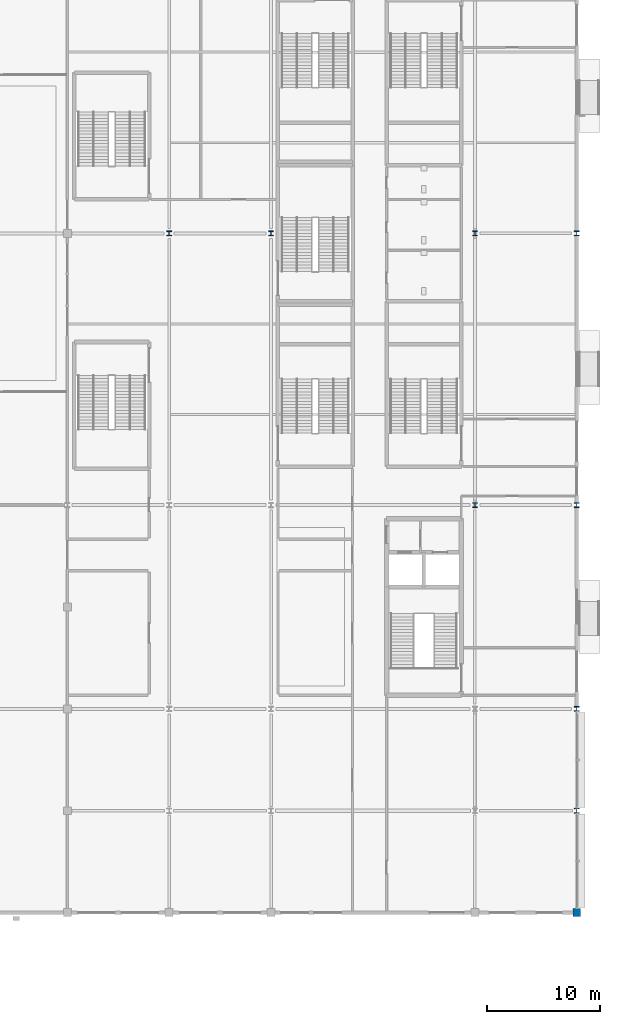
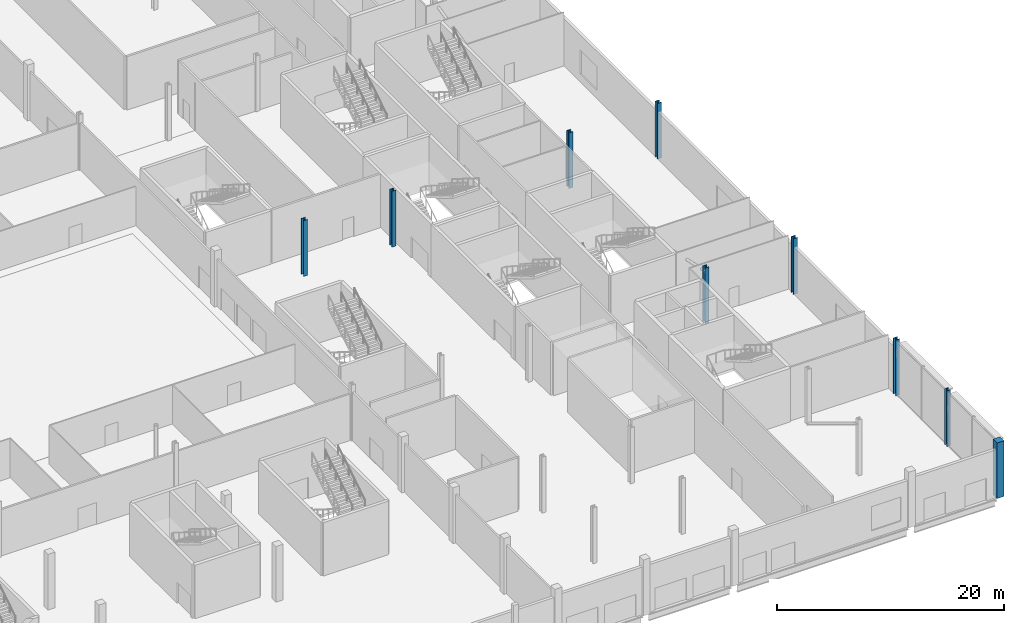
# One storey, part 12 of 84: 9 columns.
"""IFC4 building model written with IfcOpenShell, lengths in metres."""

from ifc_helpers import new_model, si_unit, direction, frame, origin, origin_2d, place, context, subcontext, project, spatial, rectangle, i_section, extrude, material, material_profile, profile_set, type_object, element, save


model = new_model("IFC4")

# Units and contexts
model_context = context("Model", 3, precision=1e-05, world=origin(), true_north=direction((0.0, 1.0)))
body_context = subcontext(model_context, "Body", "Model", "MODEL_VIEW")
ifc_project = project(units=[si_unit("LENGTHUNIT", "METRE"), si_unit("AREAUNIT", "SQUARE_METRE"), si_unit("VOLUMEUNIT", "CUBIC_METRE"), si_unit("PLANEANGLEUNIT", "RADIAN"), si_unit("MASSUNIT", "GRAM", prefix="KILO")], contexts=[model_context])

# Site, building, storey
site_placement = place(None, origin())
site = spatial("IfcSite", under=ifc_project, at=site_placement, CompositionType="ELEMENT")
building_placement = place(site_placement, origin())
building = spatial("IfcBuilding", under=site, at=building_placement, Name="Kisiwana Market Hall", CompositionType="ELEMENT")
storey_placement = place(building_placement, origin())
storey = spatial("IfcBuildingStorey", under=building, at=storey_placement, Name="L00", CompositionType="ELEMENT", Elevation=0.0)

# Columns
ifc_material_1 = material(Name="Concrete C40/50", Category="concrete")
ifc_material_profile_1 = material_profile(ifc_material_1, rectangle(XDim=0.699951171875, YDim=0.699951171875, at=origin_2d()), Name="RC 700x700")
ifc_profile_set_1 = profile_set([ifc_material_profile_1], Name="Concrete C40/50")
column_type_1 = type_object("IfcColumnType", Name="COL-RC-POD-700", PredefinedType="COLUMN", material=ifc_profile_set_1)
column_1_placement = place(storey_placement, frame((198.0, 0.0, 0.0), z_axis=(0.0, 0.0, 1.0), x_axis=(1.0, 0.0, 0.0)))
element("IfcColumn", 1, at=column_1_placement, inside=storey, type_object=column_type_1, Name="Column A/23 (L00) C-0324", PredefinedType="COLUMN", context=body_context, shape_type="SweptSolid", body=[
    extrude(rectangle(XDim=0.699951171875, YDim=0.699951171875, at=origin_2d()), origin(), (0.0, 0.0, 1.0), 6.0),
])
ifc_material_2 = material(Name="Steel S355", Category="steel")
ifc_material_profile_2 = material_profile(ifc_material_2, i_section(OverallWidth=0.412109375, OverallDepth=0.43505859375, WebThickness=0.035888671875, FlangeThickness=0.05810546875, at=origin_2d()), Name="HD 400x463")
ifc_profile_set_2 = profile_set([ifc_material_profile_2], Name="Steel S355")
column_type_2 = type_object("IfcColumnType", Name="COL-STL-HD463", PredefinedType="COLUMN", material=ifc_profile_set_2)
for number, where, z_axis, x_axis, name in (
    (2, (171.0, 60.0, 0.0), (0.0, 0.0, 1.0), (1.0, 0.0, 0.0), "Column H/20 (L00) C-0309"),
    (3, (189.0, 36.0, 0.0), (0.0, 0.0, 1.0), (1.0, 0.0, 0.0), "Column E/22 (L00) C-0318"),
    (4, (198.0, 18.0, 0.0), (0.0, 0.0, 1.0), (1.0, 0.0, 0.0), "Column C/23 (L00) C-0326"),
    (5, (198.0, 36.0, 0.0), (0.0, 0.0, 1.0), (1.0, 0.0, 0.0), "Column E/23 (L00) C-0327"),
    (6, (198.0, 60.0, 0.0), (0.0, 0.0, 1.0), (1.0, 0.0, 0.0), "Column H/23 (L00) C-0328"),
    (7, (162.0, 60.0, 0.0), (0.0, 0.0, 1.0), (1.0, 0.0, 0.0), "Column H/19 (L00) C-0183"),
    (8, (189.0, 60.0, 0.0), (0.0, 0.0, 1.0), (1.0, 0.0, 0.0), "Column H/22 (L00) C-0184"),
):
    element("IfcColumn", number, at=place(storey_placement, frame(where, z_axis=z_axis, x_axis=x_axis)), inside=storey, type_object=column_type_2, Name=name, PredefinedType="COLUMN", context=body_context, shape_type="SweptSolid", body=[
        extrude(i_section(OverallWidth=0.412109375, OverallDepth=0.43505859375, WebThickness=0.035888671875, FlangeThickness=0.05810546875, at=origin_2d()), origin(), (0.0, 0.0, 1.0), 6.0),
    ])
ifc_material_3 = material(Name="Steel S355", Category="steel")
ifc_material_profile_3 = material_profile(ifc_material_3, i_section(OverallWidth=0.403076171875, OverallDepth=0.406494140625, WebThickness=0.026611328125, FlangeThickness=0.04296875, at=origin_2d()), Name="UC 356x406x340")
ifc_profile_set_3 = profile_set([ifc_material_profile_3], Name="Steel S355")
column_type_3 = type_object("IfcColumnType", Name="COL-STL-UC340", PredefinedType="COLUMN", material=ifc_profile_set_3)
column_2_placement = place(storey_placement, frame((198.0, 9.0, 0.0), z_axis=(0.0, 0.0, 1.0), x_axis=(1.0, 0.0, 0.0)))
element("IfcColumn", 9, at=column_2_placement, inside=storey, type_object=column_type_3, Name="Column B/23 (L00) C-0325", PredefinedType="COLUMN", context=body_context, shape_type="SweptSolid", body=[
    extrude(i_section(OverallWidth=0.403076171875, OverallDepth=0.406494140625, WebThickness=0.026611328125, FlangeThickness=0.04296875, at=origin_2d()), origin(), (0.0, 0.0, 1.0), 6.0),
])

save(model, "model.ifc")
